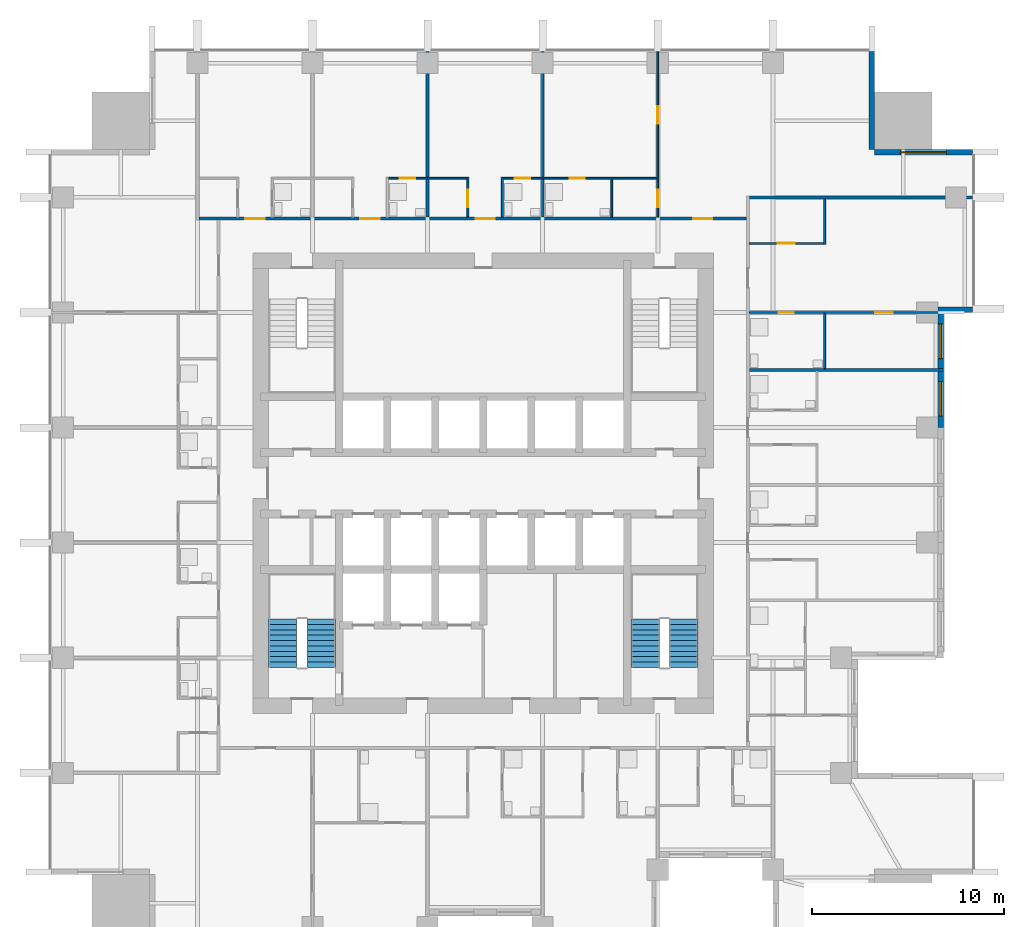
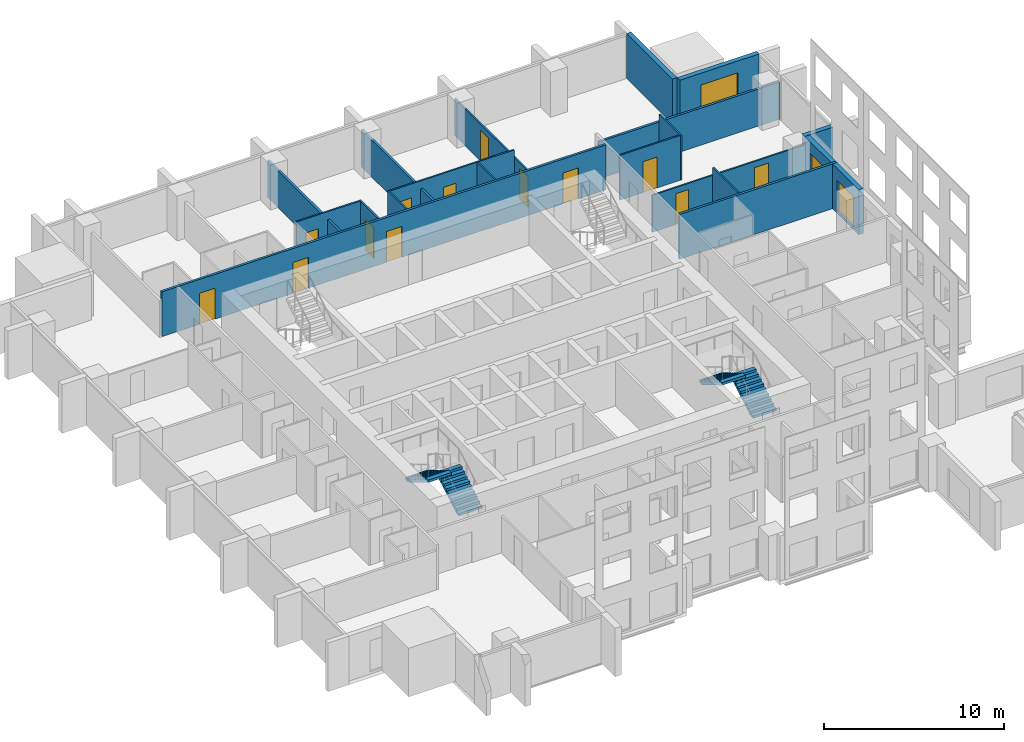
# One storey, part 8 of 12: 19 walls, 13 doors, 4 stair flights, 3 windows, 16 openings, 2 elements without a shape of their own.
"""IFC4 building model written with IfcOpenShell, lengths in metres."""

from ifc_helpers import new_model, si_unit, direction, frame, frame_2d, origin, place, context, subcontext, project, spatial, polyline, rectangle, outline, extrude, material, layer, layer_set, type_object, element, fill, aggregate, save


model = new_model("IFC4")

# Units and contexts
model_context = context("Model", 3, precision=1e-05, world=origin(), true_north=direction((0.0, 1.0)))
body_context = subcontext(model_context, "Body", "Model", "MODEL_VIEW")
ifc_project = project(units=[si_unit("LENGTHUNIT", "METRE"), si_unit("AREAUNIT", "SQUARE_METRE"), si_unit("VOLUMEUNIT", "CUBIC_METRE"), si_unit("PLANEANGLEUNIT", "RADIAN"), si_unit("MASSUNIT", "GRAM", prefix="KILO")], contexts=[model_context])

# Site, building, storey
site_placement = place(None, origin())
site = spatial("IfcSite", under=ifc_project, at=site_placement, CompositionType="ELEMENT")
building_placement = place(site_placement, origin())
building = spatial("IfcBuilding", under=site, at=building_placement, Name="Amberfall Residences", CompositionType="ELEMENT")
storey_placement = place(building_placement, frame((0.0, 0.0, 88.60009765625)))
storey = spatial("IfcBuildingStorey", under=building, at=storey_placement, Name="L23", CompositionType="ELEMENT", Elevation=88.60009765625)

# Wall
ifc_material_1 = material(Name="Pale stone cladding on insulated backing", Category="masonry")
ifc_layer_1 = layer(ifc_material_1, 0.300048828125)
ifc_layer_set_1 = layer_set([ifc_layer_1], Name="Bronze clad wall 300")
wall_type_1 = type_object("IfcWallType", Name="Bronze clad wall 300", PredefinedType="SOLIDWALL", material=ifc_layer_set_1)
wall_1_placement = place(storey_placement, frame((98.199951171875, 54.550048828125, 0.0), z_axis=(0.0, 0.0, 1.0), x_axis=(1.0, 0.0, 0.0)))
element("IfcWall", 1, at=wall_1_placement, inside=storey, type_object=wall_type_1, Name="External wall L23 E", PredefinedType="SOLIDWALL", context=body_context, shape_type="SweptSolid", body=[
    extrude(rectangle(XDim=1.800048828125, YDim=0.300048828125, at=frame_2d((0.89990234375, 0.0))), origin(), (0.0, 0.0, 1.0), 3.0498046875),
])

# Wall, opening, window
wall_2_placement = place(storey_placement, frame((100.0, 62.75, 0.0), z_axis=(0.0, 0.0, 1.0), x_axis=(-1.0, 0.0, 0.0)))
wall_2 = element("IfcWall", 2, at=wall_2_placement, inside=storey, type_object=wall_type_1, Name="External wall L23 NE", PredefinedType="SOLIDWALL", context=body_context, shape_type="SweptSolid", body=[
    extrude(rectangle(XDim=5.10009765625, YDim=0.300048828125, at=frame_2d((2.550048828125, 0.0))), origin(), (0.0, 0.0, 1.0), 3.0498046875),
])
opening_1_placement = place(wall_2_placement, frame((1.35009765625, 0.0, 0.14990234375)))
opening_1 = element("IfcOpeningElement", 3, at=opening_1_placement, cuts=wall_2, Name="Opening WN5", PredefinedType="OPENING", context=body_context, shape_type="SweptSolid", body=[
    extrude(rectangle(XDim=2.39990234375, YDim=2.10009765625, at=frame_2d((1.199951171875, 1.050048828125))), frame((0.0, 0.159912109375, 0.0), z_axis=(0.0, -1.0, 0.0), x_axis=(1.0, 0.0, 0.0)), (0.0, 0.0, 1.0), 0.320068359375),
])
ifc_material_2 = material(Name="Bronze aluminium framed glazing", Category="aluminium")
window_type_1 = type_object("IfcWindowType", Name="Glazed opening 2400 x 2100 bronze", PartitioningType="DOUBLE_PANEL_VERTICAL", PredefinedType="WINDOW", material=ifc_material_2)
window_1_placement = place(opening_1_placement, origin())
window_1 = element("IfcWindow", 4, at=window_1_placement, inside=storey, type_object=window_type_1, Name="Window L23 NE", OverallHeight=2.10009765625, OverallWidth=2.39990234375, PartitioningType="DOUBLE_PANEL_VERTICAL", PredefinedType="WINDOW", context=body_context, shape_type="SweptSolid", body=[
    extrude(rectangle(XDim=2.39990234375, YDim=2.10009765625, at=frame_2d((1.199951171875, 1.050048828125))), frame((0.0, 0.030029296875, 0.0), z_axis=(0.0, -1.0, 0.0), x_axis=(1.0, 0.0, 0.0)), (0.0, 0.0, 1.0), 0.06005859375),
])
fill(opening_1, window_1)

# Wall
wall_3_placement = place(storey_placement, frame((94.75, 62.89990234375, 0.0), z_axis=(0.0, 0.0, 1.0), x_axis=(0.0, 1.0, 0.0)))
element("IfcWall", 5, at=wall_3_placement, inside=storey, type_object=wall_type_1, Name="External wall L23 NE", PredefinedType="SOLIDWALL", context=body_context, shape_type="SweptSolid", body=[
    extrude(rectangle(XDim=5.10009765625, YDim=0.300048828125, at=frame_2d((2.550048828125, 0.0))), origin(), (0.0, 0.0, 1.0), 3.0498046875),
])

# Wall, openings, windows
wall_4_placement = place(storey_placement, frame((98.35009765625, 48.39990234375, 0.0), z_axis=(0.0, 0.0, 1.0), x_axis=(0.0, 1.0, 0.0)))
wall_4 = element("IfcWall", 6, at=wall_4_placement, inside=storey, type_object=wall_type_1, Name="Stone wall L23 E", PredefinedType="SOLIDWALL", context=body_context, shape_type="SweptSolid", body=[
    extrude(rectangle(XDim=6.0, YDim=0.300048828125, at=frame_2d((3.0, 0.0))), origin(), (0.0, 0.0, 1.0), 3.0498046875),
])
opening_2_placement = place(wall_4_placement, frame((0.60009765625, 0.0, 0.14990234375)))
opening_2 = element("IfcOpeningElement", 7, at=opening_2_placement, cuts=wall_4, Name="Opening WN6", PredefinedType="OPENING", context=body_context, shape_type="SweptSolid", body=[
    extrude(rectangle(XDim=1.800048828125, YDim=2.10009765625, at=frame_2d((0.89990234375, 1.050048828125))), frame((0.0, 0.159912109375, 0.0), z_axis=(0.0, -1.0, 0.0), x_axis=(1.0, 0.0, 0.0)), (0.0, 0.0, 1.0), 0.320068359375),
])
opening_3_placement = place(wall_4_placement, frame((3.60009765625, 0.0, 0.14990234375)))
opening_3 = element("IfcOpeningElement", 8, at=opening_3_placement, cuts=wall_4, Name="Opening WN6", PredefinedType="OPENING", context=body_context, shape_type="SweptSolid", body=[
    extrude(rectangle(XDim=1.800048828125, YDim=2.10009765625, at=frame_2d((0.89990234375, 1.050048828125))), frame((0.0, 0.159912109375, 0.0), z_axis=(0.0, -1.0, 0.0), x_axis=(1.0, 0.0, 0.0)), (0.0, 0.0, 1.0), 0.320068359375),
])
window_type_2 = type_object("IfcWindowType", Name="Glazed opening 1800 x 2100 bronze", PartitioningType="DOUBLE_PANEL_VERTICAL", PredefinedType="WINDOW", material=ifc_material_2)
window_2_placement = place(opening_2_placement, origin())
window_2 = element("IfcWindow", 9, at=window_2_placement, inside=storey, type_object=window_type_2, Name="Window L23 E", OverallHeight=2.10009765625, OverallWidth=1.800048828125, PartitioningType="DOUBLE_PANEL_VERTICAL", PredefinedType="WINDOW", context=body_context, shape_type="SweptSolid", body=[
    extrude(rectangle(XDim=1.800048828125, YDim=2.10009765625, at=frame_2d((0.89990234375, 1.050048828125))), frame((0.0, 0.030029296875, 0.0), z_axis=(0.0, -1.0, 0.0), x_axis=(1.0, 0.0, 0.0)), (0.0, 0.0, 1.0), 0.06005859375),
])
fill(opening_2, window_2)
window_3_placement = place(opening_3_placement, origin())
window_3 = element("IfcWindow", 10, at=window_3_placement, inside=storey, type_object=window_type_2, Name="Window L23 E", OverallHeight=2.10009765625, OverallWidth=1.800048828125, PartitioningType="DOUBLE_PANEL_VERTICAL", PredefinedType="WINDOW", context=body_context, shape_type="SweptSolid", body=[
    extrude(rectangle(XDim=1.800048828125, YDim=2.10009765625, at=frame_2d((0.89990234375, 1.050048828125))), frame((0.0, 0.030029296875, 0.0), z_axis=(0.0, -1.0, 0.0), x_axis=(1.0, 0.0, 0.0)), (0.0, 0.0, 1.0), 0.06005859375),
])
fill(opening_3, window_3)

# Wall, opening, door
ifc_material_3 = material(Name="Gypsum board on metal stud")
ifc_layer_2 = layer(ifc_material_3, 0.10009765625)
ifc_layer_set_2 = layer_set([ifc_layer_2], Name="Flat partition 100")
wall_type_2 = type_object("IfcWallType", Name="Flat partition 100", PredefinedType="PARTITIONING", material=ifc_layer_set_2)
wall_5_placement = place(storey_placement, frame((73.699951171875, 59.375, 0.0), z_axis=(0.0, 0.0, 1.0), x_axis=(0.0, 1.0, 0.0)))
wall_5 = element("IfcWall", 11, at=wall_5_placement, inside=storey, type_object=wall_type_2, Name="Partition 012", PredefinedType="PARTITIONING", context=body_context, shape_type="SweptSolid", body=[
    extrude(rectangle(XDim=2.074951171875, YDim=0.10009765625, at=frame_2d((1.03759765625, 0.0))), origin(), (0.0, 0.0, 1.0), 3.0498046875),
])
opening_4_placement = place(wall_5_placement, frame((0.52490234375, 0.0, 0.0)))
opening_4 = element("IfcOpeningElement", 12, at=opening_4_placement, cuts=wall_5, Name="Opening D41", PredefinedType="OPENING", context=body_context, shape_type="SweptSolid", body=[
    extrude(rectangle(XDim=0.89990234375, YDim=2.10009765625, at=frame_2d((0.449951171875, 1.050048828125))), frame((0.0, 0.06005859375, 0.0), z_axis=(0.0, -1.0, 0.0), x_axis=(1.0, 0.0, 0.0)), (0.0, 0.0, 1.0), 0.1201171875),
])
ifc_material_4 = material(Name="Timber", Category="wood")
door_type_1 = type_object("IfcDoorType", Name="Internal door 900 x 2100", OperationType="SINGLE_SWING_LEFT", PredefinedType="DOOR", material=ifc_material_4)
door_1_placement = place(opening_4_placement, origin())
door_1 = element("IfcDoor", 13, at=door_1_placement, inside=storey, type_object=door_type_1, Name="Door 2311 kitchen", OperationType="SINGLE_SWING_LEFT", OverallHeight=2.10009765625, OverallWidth=0.89990234375, PredefinedType="DOOR", context=body_context, shape_type="SweptSolid", body=[
    extrude(rectangle(XDim=0.89990234375, YDim=2.10009765625, at=frame_2d((0.449951171875, 1.050048828125))), frame((0.0, 0.02490234375, 0.0), z_axis=(0.0, -1.0, 0.0), x_axis=(1.0, 0.0, 0.0)), (0.0, 0.0, 1.0), 0.050048828125),
])
fill(opening_4, door_1)

# Walls
wall_6_placement = place(storey_placement, frame((75.5, 59.375, 0.0), z_axis=(0.0, 0.0, 1.0), x_axis=(0.0, 1.0, 0.0)))
element("IfcWall", 14, at=wall_6_placement, inside=storey, type_object=wall_type_2, Name="Partition 014", PredefinedType="PARTITIONING", context=body_context, shape_type="SweptSolid", body=[
    extrude(rectangle(XDim=2.074951171875, YDim=0.10009765625, at=frame_2d((1.03759765625, 0.0))), origin(), (0.0, 0.0, 1.0), 3.0498046875),
])
wall_7_placement = place(storey_placement, frame((81.199951171875, 59.375, 0.0), z_axis=(0.0, 0.0, 1.0), x_axis=(0.0, 1.0, 0.0)))
element("IfcWall", 15, at=wall_7_placement, inside=storey, type_object=wall_type_2, Name="Partition 016", PredefinedType="PARTITIONING", context=body_context, shape_type="SweptSolid", body=[
    extrude(rectangle(XDim=1.97509765625, YDim=0.10009765625, at=frame_2d((0.987548828125, 0.0))), origin(), (0.0, 0.0, 1.0), 3.0498046875),
])

# Wall, openings, doors
wall_8_placement = place(storey_placement, frame((83.60009765625, 59.375, 0.0), z_axis=(0.0, 0.0, 1.0), x_axis=(0.0, 1.0, 0.0)))
wall_8 = element("IfcWall", 16, at=wall_8_placement, inside=storey, type_object=wall_type_2, Name="Partition 018", PredefinedType="PARTITIONING", context=body_context, shape_type="SweptSolid", body=[
    extrude(rectangle(XDim=8.625, YDim=0.10009765625, at=frame_2d((4.3125, 0.0))), origin(), (0.0, 0.0, 1.0), 2.515869140625),
])
opening_5_placement = place(wall_8_placement, frame((0.52490234375, 0.0, 0.0)))
opening_5 = element("IfcOpeningElement", 17, at=opening_5_placement, cuts=wall_8, Name="Opening D41", PredefinedType="OPENING", context=body_context, shape_type="SweptSolid", body=[
    extrude(rectangle(XDim=0.89990234375, YDim=2.10009765625, at=frame_2d((0.449951171875, 1.050048828125))), frame((0.0, 0.06005859375, 0.0), z_axis=(0.0, -1.0, 0.0), x_axis=(1.0, 0.0, 0.0)), (0.0, 0.0, 1.0), 0.1201171875),
])
opening_6_placement = place(wall_8_placement, frame((4.875, 0.0, 0.0)))
opening_6 = element("IfcOpeningElement", 18, at=opening_6_placement, cuts=wall_8, Name="Opening D41", PredefinedType="OPENING", context=body_context, shape_type="SweptSolid", body=[
    extrude(rectangle(XDim=0.89990234375, YDim=2.10009765625, at=frame_2d((0.449951171875, 1.050048828125))), frame((0.0, 0.06005859375, 0.0), z_axis=(0.0, -1.0, 0.0), x_axis=(1.0, 0.0, 0.0)), (0.0, 0.0, 1.0), 0.1201171875),
])
door_2_placement = place(opening_5_placement, origin())
door_2 = element("IfcDoor", 19, at=door_2_placement, inside=storey, type_object=door_type_1, Name="Door 2312 kitchen", OperationType="SINGLE_SWING_LEFT", OverallHeight=2.10009765625, OverallWidth=0.89990234375, PredefinedType="DOOR", context=body_context, shape_type="SweptSolid", body=[
    extrude(rectangle(XDim=0.89990234375, YDim=2.10009765625, at=frame_2d((0.449951171875, 1.050048828125))), frame((0.0, 0.02490234375, 0.0), z_axis=(0.0, -1.0, 0.0), x_axis=(1.0, 0.0, 0.0)), (0.0, 0.0, 1.0), 0.050048828125),
])
fill(opening_5, door_2)
door_3_placement = place(opening_6_placement, origin())
door_3 = element("IfcDoor", 20, at=door_3_placement, inside=storey, type_object=door_type_1, Name="Door 2312 bedroom1", OperationType="SINGLE_SWING_LEFT", OverallHeight=2.10009765625, OverallWidth=0.89990234375, PredefinedType="DOOR", context=body_context, shape_type="SweptSolid", body=[
    extrude(rectangle(XDim=0.89990234375, YDim=2.10009765625, at=frame_2d((0.449951171875, 1.050048828125))), frame((0.0, 0.02490234375, 0.0), z_axis=(0.0, -1.0, 0.0), x_axis=(1.0, 0.0, 0.0)), (0.0, 0.0, 1.0), 0.050048828125),
])
fill(opening_6, door_3)

# Walls
wall_9_placement = place(storey_placement, frame((92.300048828125, 51.47509765625, 0.0), z_axis=(0.0, 0.0, 1.0), x_axis=(0.0, 1.0, 0.0)))
element("IfcWall", 21, at=wall_9_placement, inside=storey, type_object=wall_type_2, Name="Partition 025", PredefinedType="PARTITIONING", context=body_context, shape_type="SweptSolid", body=[
    extrude(rectangle(XDim=2.875, YDim=0.10009765625, at=frame_2d((1.4375, 0.0))), origin(), (0.0, 0.0, 1.0), 3.0498046875),
])
wall_10_placement = place(storey_placement, frame((92.300048828125, 57.949951171875, 0.0), z_axis=(0.0, 0.0, 1.0), x_axis=(0.0, 1.0, 0.0)))
element("IfcWall", 22, at=wall_10_placement, inside=storey, type_object=wall_type_2, Name="Partition 026", PredefinedType="PARTITIONING", context=body_context, shape_type="SweptSolid", body=[
    extrude(rectangle(XDim=2.375, YDim=0.10009765625, at=frame_2d((1.1875, 0.0))), origin(), (0.0, 0.0, 1.0), 3.0498046875),
])

# Wall, opening, door
wall_11_placement = place(storey_placement, frame((73.64990234375, 61.39990234375, 0.0), z_axis=(0.0, 0.0, 1.0), x_axis=(-1.0, 0.0, 0.0)))
wall_11 = element("IfcWall", 23, at=wall_11_placement, inside=storey, type_object=wall_type_2, Name="Partition 029", PredefinedType="PARTITIONING", context=body_context, shape_type="SweptSolid", body=[
    extrude(rectangle(XDim=4.099853515625, YDim=0.10009765625, at=frame_2d((2.0498046875, 0.0))), origin(), (0.0, 0.0, 1.0), 3.0498046875),
])
opening_7_placement = place(wall_11_placement, frame((2.699951171875, 0.0, 0.0)))
opening_7 = element("IfcOpeningElement", 24, at=opening_7_placement, cuts=wall_11, Name="Opening D42", PredefinedType="OPENING", context=body_context, shape_type="SweptSolid", body=[
    extrude(rectangle(XDim=0.800048828125, YDim=2.10009765625, at=frame_2d((0.39990234375, 1.050048828125))), frame((0.0, 0.06005859375, 0.0), z_axis=(0.0, -1.0, 0.0), x_axis=(1.0, 0.0, 0.0)), (0.0, 0.0, 1.0), 0.1201171875),
])
door_type_2 = type_object("IfcDoorType", Name="Bathroom door 800 x 2100", OperationType="SINGLE_SWING_LEFT", PredefinedType="DOOR", material=ifc_material_4)
door_4_placement = place(opening_7_placement, origin())
door_4 = element("IfcDoor", 25, at=door_4_placement, inside=storey, type_object=door_type_2, Name="Door 2310 bath1", OperationType="SINGLE_SWING_LEFT", OverallHeight=2.10009765625, OverallWidth=0.800048828125, PredefinedType="DOOR", context=body_context, shape_type="SweptSolid", body=[
    extrude(rectangle(XDim=0.800048828125, YDim=2.10009765625, at=frame_2d((0.39990234375, 1.050048828125))), frame((0.0, 0.02490234375, 0.0), z_axis=(0.0, -1.0, 0.0), x_axis=(1.0, 0.0, 0.0)), (0.0, 0.0, 1.0), 0.050048828125),
])
fill(opening_7, door_4)

# Wall, openings, doors
wall_12_placement = place(storey_placement, frame((83.550048828125, 61.39990234375, 0.0), z_axis=(0.0, 0.0, 1.0), x_axis=(-1.0, 0.0, 0.0)))
wall_12 = element("IfcWall", 26, at=wall_12_placement, inside=storey, type_object=wall_type_2, Name="Partition 030", PredefinedType="PARTITIONING", context=body_context, shape_type="SweptSolid", body=[
    extrude(rectangle(XDim=8.0, YDim=0.10009765625, at=frame_2d((4.0, 0.0))), origin(), (0.0, 0.0, 1.0), 3.0498046875),
])
opening_8_placement = place(wall_12_placement, frame((6.60009765625, 0.0, 0.0)))
opening_8 = element("IfcOpeningElement", 27, at=opening_8_placement, cuts=wall_12, Name="Opening D42", PredefinedType="OPENING", context=body_context, shape_type="SweptSolid", body=[
    extrude(rectangle(XDim=0.800048828125, YDim=2.10009765625, at=frame_2d((0.39990234375, 1.050048828125))), frame((0.0, 0.06005859375, 0.0), z_axis=(0.0, -1.0, 0.0), x_axis=(1.0, 0.0, 0.0)), (0.0, 0.0, 1.0), 0.1201171875),
])
opening_9_placement = place(wall_12_placement, frame((3.75, 0.0, 0.0)))
opening_9 = element("IfcOpeningElement", 28, at=opening_9_placement, cuts=wall_12, Name="Opening D42", PredefinedType="OPENING", context=body_context, shape_type="SweptSolid", body=[
    extrude(rectangle(XDim=0.800048828125, YDim=2.10009765625, at=frame_2d((0.39990234375, 1.050048828125))), frame((0.0, 0.06005859375, 0.0), z_axis=(0.0, -1.0, 0.0), x_axis=(1.0, 0.0, 0.0)), (0.0, 0.0, 1.0), 0.1201171875),
])
door_5_placement = place(opening_8_placement, origin())
door_5 = element("IfcDoor", 29, at=door_5_placement, inside=storey, type_object=door_type_2, Name="Door 2311 bath1", OperationType="SINGLE_SWING_LEFT", OverallHeight=2.10009765625, OverallWidth=0.800048828125, PredefinedType="DOOR", context=body_context, shape_type="SweptSolid", body=[
    extrude(rectangle(XDim=0.800048828125, YDim=2.10009765625, at=frame_2d((0.39990234375, 1.050048828125))), frame((0.0, 0.02490234375, 0.0), z_axis=(0.0, -1.0, 0.0), x_axis=(1.0, 0.0, 0.0)), (0.0, 0.0, 1.0), 0.050048828125),
])
fill(opening_8, door_5)
door_6_placement = place(opening_9_placement, origin())
door_6 = element("IfcDoor", 30, at=door_6_placement, inside=storey, type_object=door_type_2, Name="Door 2312 bath1", OperationType="SINGLE_SWING_LEFT", OverallHeight=2.10009765625, OverallWidth=0.800048828125, PredefinedType="DOOR", context=body_context, shape_type="SweptSolid", body=[
    extrude(rectangle(XDim=0.800048828125, YDim=2.10009765625, at=frame_2d((0.39990234375, 1.050048828125))), frame((0.0, 0.02490234375, 0.0), z_axis=(0.0, -1.0, 0.0), x_axis=(1.0, 0.0, 0.0)), (0.0, 0.0, 1.0), 0.050048828125),
])
fill(opening_9, door_6)

# Wall, opening, door
wall_13_placement = place(storey_placement, frame((88.375, 58.0, 0.0), z_axis=(0.0, 0.0, 1.0), x_axis=(1.0, 0.0, 0.0)))
wall_13 = element("IfcWall", 31, at=wall_13_placement, inside=storey, type_object=wall_type_2, Name="Partition 031", PredefinedType="PARTITIONING", context=body_context, shape_type="SweptSolid", body=[
    extrude(rectangle(XDim=3.875, YDim=0.10009765625, at=frame_2d((1.9375, 0.0))), origin(), (0.0, 0.0, 1.0), 3.0498046875),
])
opening_10_placement = place(wall_13_placement, frame((1.47509765625, 0.0, 0.0)))
opening_10 = element("IfcOpeningElement", 32, at=opening_10_placement, cuts=wall_13, Name="Opening D41", PredefinedType="OPENING", context=body_context, shape_type="SweptSolid", body=[
    extrude(rectangle(XDim=0.89990234375, YDim=2.10009765625, at=frame_2d((0.449951171875, 1.050048828125))), frame((0.0, 0.06005859375, 0.0), z_axis=(0.0, -1.0, 0.0), x_axis=(1.0, 0.0, 0.0)), (0.0, 0.0, 1.0), 0.1201171875),
])
door_7_placement = place(opening_10_placement, origin())
door_7 = element("IfcDoor", 33, at=door_7_placement, inside=storey, type_object=door_type_1, Name="Door 2308 kitchen", OperationType="SINGLE_SWING_LEFT", OverallHeight=2.10009765625, OverallWidth=0.89990234375, PredefinedType="DOOR", context=body_context, shape_type="SweptSolid", body=[
    extrude(rectangle(XDim=0.89990234375, YDim=2.10009765625, at=frame_2d((0.449951171875, 1.050048828125))), frame((0.0, 0.02490234375, 0.0), z_axis=(0.0, -1.0, 0.0), x_axis=(1.0, 0.0, 0.0)), (0.0, 0.0, 1.0), 0.050048828125),
])
fill(opening_10, door_7)

# Wall, openings, doors
wall_14_placement = place(storey_placement, frame((98.5, 54.39990234375, 0.0), z_axis=(0.0, 0.0, 1.0), x_axis=(-1.0, 0.0, 0.0)))
wall_14 = element("IfcWall", 34, at=wall_14_placement, inside=storey, type_object=wall_type_2, Name="Partition 033", PredefinedType="PARTITIONING", context=body_context, shape_type="SweptSolid", body=[
    extrude(rectangle(XDim=10.125, YDim=0.10009765625, at=frame_2d((5.0625, 0.0))), origin(), (0.0, 0.0, 1.0), 2.515869140625),
])
opening_11_placement = place(wall_14_placement, frame((2.64990234375, 0.0, 0.0)))
opening_11 = element("IfcOpeningElement", 35, at=opening_11_placement, cuts=wall_14, Name="Opening D41", PredefinedType="OPENING", context=body_context, shape_type="SweptSolid", body=[
    extrude(rectangle(XDim=0.89990234375, YDim=2.10009765625, at=frame_2d((0.449951171875, 1.050048828125))), frame((0.0, 0.06005859375, 0.0), z_axis=(0.0, -1.0, 0.0), x_axis=(1.0, 0.0, 0.0)), (0.0, 0.0, 1.0), 0.1201171875),
])
opening_12_placement = place(wall_14_placement, frame((7.800048828125, 0.0, 0.0)))
opening_12 = element("IfcOpeningElement", 36, at=opening_12_placement, cuts=wall_14, Name="Opening D42", PredefinedType="OPENING", context=body_context, shape_type="SweptSolid", body=[
    extrude(rectangle(XDim=0.800048828125, YDim=2.10009765625, at=frame_2d((0.39990234375, 1.050048828125))), frame((0.0, 0.06005859375, 0.0), z_axis=(0.0, -1.0, 0.0), x_axis=(1.0, 0.0, 0.0)), (0.0, 0.0, 1.0), 0.1201171875),
])
door_8_placement = place(opening_12_placement, origin())
door_8 = element("IfcDoor", 37, at=door_8_placement, inside=storey, type_object=door_type_2, Name="Door 2308 bath1", OperationType="SINGLE_SWING_LEFT", OverallHeight=2.10009765625, OverallWidth=0.800048828125, PredefinedType="DOOR", context=body_context, shape_type="SweptSolid", body=[
    extrude(rectangle(XDim=0.800048828125, YDim=2.10009765625, at=frame_2d((0.39990234375, 1.050048828125))), frame((0.0, 0.02490234375, 0.0), z_axis=(0.0, -1.0, 0.0), x_axis=(1.0, 0.0, 0.0)), (0.0, 0.0, 1.0), 0.050048828125),
])
fill(opening_12, door_8)
door_9_placement = place(opening_11_placement, origin())
door_9 = element("IfcDoor", 38, at=door_9_placement, inside=storey, type_object=door_type_1, Name="Door 2308 bedroom1", OperationType="SINGLE_SWING_LEFT", OverallHeight=2.10009765625, OverallWidth=0.89990234375, PredefinedType="DOOR", context=body_context, shape_type="SweptSolid", body=[
    extrude(rectangle(XDim=0.89990234375, YDim=2.10009765625, at=frame_2d((0.449951171875, 1.050048828125))), frame((0.0, 0.02490234375, 0.0), z_axis=(0.0, -1.0, 0.0), x_axis=(1.0, 0.0, 0.0)), (0.0, 0.0, 1.0), 0.050048828125),
])
fill(opening_11, door_9)

# Walls
ifc_material_5 = material(Name="Blockwork, plastered", Category="masonry")
ifc_layer_3 = layer(ifc_material_5, 0.14990234375)
ifc_layer_set_3 = layer_set([ifc_layer_3], Name="Flat separating wall 150")
wall_type_3 = type_object("IfcWallType", Name="Flat separating wall 150", PredefinedType="PARTITIONING", material=ifc_layer_set_3)
for number, where, z_axis, x_axis, name in (
    (39, (71.60009765625, 59.375, 0.0), (0.0, 0.0, 1.0), (0.0, 1.0, 0.0), "Separating wall 057"),
    (40, (77.60009765625, 59.375, 0.0), (0.0, 0.0, 1.0), (0.0, 1.0, 0.0), "Separating wall 059"),
):
    element("IfcWall", number, at=place(storey_placement, frame(where, z_axis=z_axis, x_axis=x_axis)), inside=storey, type_object=wall_type_3, Name=name, PredefinedType="PARTITIONING", context=body_context, shape_type="SweptSolid", body=[
        extrude(rectangle(XDim=8.625, YDim=0.14990234375, at=frame_2d((4.3125, 0.0))), origin(), (0.0, 0.0, 1.0), 2.515869140625),
    ])
wall_15_placement = place(storey_placement, frame((88.375, 60.39990234375, 0.0), z_axis=(0.0, 0.0, 1.0), x_axis=(1.0, 0.0, 0.0)))
element("IfcWall", 41, at=wall_15_placement, inside=storey, type_object=wall_type_3, Name="Separating wall 063", PredefinedType="PARTITIONING", context=body_context, shape_type="SweptSolid", body=[
    extrude(rectangle(XDim=11.625, YDim=0.14990234375, at=frame_2d((5.8125, 0.0))), origin(), (0.0, 0.0, 1.0), 2.515869140625),
])

# Wall, openings, doors
wall_16_placement = place(storey_placement, frame((59.675048828125, 59.300048828125, 0.0), z_axis=(0.0, 0.0, 1.0), x_axis=(1.0, 0.0, 0.0)))
wall_16 = element("IfcWall", 42, at=wall_16_placement, inside=storey, type_object=wall_type_3, Name="Separating wall 064", PredefinedType="PARTITIONING", context=body_context, shape_type="SweptSolid", body=[
    extrude(rectangle(XDim=28.550048828125, YDim=0.14990234375, at=frame_2d((14.27490234375, 0.0))), origin(), (0.0, 0.0, 1.0), 3.0498046875),
])
opening_13_placement = place(wall_16_placement, frame((2.425048828125, 0.0, 0.0)))
opening_13 = element("IfcOpeningElement", 43, at=opening_13_placement, cuts=wall_16, Name="Opening D40", PredefinedType="OPENING", context=body_context, shape_type="SweptSolid", body=[
    extrude(rectangle(XDim=1.0, YDim=2.10009765625, at=frame_2d((0.5, 1.050048828125))), frame((0.0, 0.0849609375, 0.0), z_axis=(0.0, -1.0, 0.0), x_axis=(1.0, 0.0, 0.0)), (0.0, 0.0, 1.0), 0.169921875),
])
opening_14_placement = place(wall_16_placement, frame((8.425048828125, 0.0, 0.0)))
opening_14 = element("IfcOpeningElement", 44, at=opening_14_placement, cuts=wall_16, Name="Opening D40", PredefinedType="OPENING", context=body_context, shape_type="SweptSolid", body=[
    extrude(rectangle(XDim=1.0, YDim=2.10009765625, at=frame_2d((0.5, 1.050048828125))), frame((0.0, 0.0849609375, 0.0), z_axis=(0.0, -1.0, 0.0), x_axis=(1.0, 0.0, 0.0)), (0.0, 0.0, 1.0), 0.169921875),
])
opening_15_placement = place(wall_16_placement, frame((14.425048828125, 0.0, 0.0)))
opening_15 = element("IfcOpeningElement", 45, at=opening_15_placement, cuts=wall_16, Name="Opening D40", PredefinedType="OPENING", context=body_context, shape_type="SweptSolid", body=[
    extrude(rectangle(XDim=1.0, YDim=2.10009765625, at=frame_2d((0.5, 1.050048828125))), frame((0.0, 0.0849609375, 0.0), z_axis=(0.0, -1.0, 0.0), x_axis=(1.0, 0.0, 0.0)), (0.0, 0.0, 1.0), 0.169921875),
])
opening_16_placement = place(wall_16_placement, frame((25.77490234375, 0.0, 0.0)))
opening_16 = element("IfcOpeningElement", 46, at=opening_16_placement, cuts=wall_16, Name="Opening D40", PredefinedType="OPENING", context=body_context, shape_type="SweptSolid", body=[
    extrude(rectangle(XDim=1.0, YDim=2.10009765625, at=frame_2d((0.5, 1.050048828125))), frame((0.0, 0.0849609375, 0.0), z_axis=(0.0, -1.0, 0.0), x_axis=(1.0, 0.0, 0.0)), (0.0, 0.0, 1.0), 0.169921875),
])
ifc_material_6 = material(Name="Timber, fire-rated", Category="wood")
door_type_3 = type_object("IfcDoorType", Name="Flat entrance door FD60 1000 x 2100", OperationType="SINGLE_SWING_LEFT", PredefinedType="DOOR", material=ifc_material_6)
door_10_placement = place(opening_13_placement, origin())
door_10 = element("IfcDoor", 47, at=door_10_placement, inside=storey, type_object=door_type_3, Name="Door 2309 entrance", OperationType="SINGLE_SWING_LEFT", OverallHeight=2.10009765625, OverallWidth=1.0, PredefinedType="DOOR", context=body_context, shape_type="SweptSolid", body=[
    extrude(rectangle(XDim=1.0, YDim=2.10009765625, at=frame_2d((0.5, 1.050048828125))), frame((0.0, 0.02490234375, 0.0), z_axis=(0.0, -1.0, 0.0), x_axis=(1.0, 0.0, 0.0)), (0.0, 0.0, 1.0), 0.050048828125),
])
fill(opening_13, door_10)
door_11_placement = place(opening_14_placement, origin())
door_11 = element("IfcDoor", 48, at=door_11_placement, inside=storey, type_object=door_type_3, Name="Door 2310 entrance", OperationType="SINGLE_SWING_LEFT", OverallHeight=2.10009765625, OverallWidth=1.0, PredefinedType="DOOR", context=body_context, shape_type="SweptSolid", body=[
    extrude(rectangle(XDim=1.0, YDim=2.10009765625, at=frame_2d((0.5, 1.050048828125))), frame((0.0, 0.02490234375, 0.0), z_axis=(0.0, -1.0, 0.0), x_axis=(1.0, 0.0, 0.0)), (0.0, 0.0, 1.0), 0.050048828125),
])
fill(opening_14, door_11)
door_12_placement = place(opening_15_placement, origin())
door_12 = element("IfcDoor", 49, at=door_12_placement, inside=storey, type_object=door_type_3, Name="Door 2311 entrance", OperationType="SINGLE_SWING_LEFT", OverallHeight=2.10009765625, OverallWidth=1.0, PredefinedType="DOOR", context=body_context, shape_type="SweptSolid", body=[
    extrude(rectangle(XDim=1.0, YDim=2.10009765625, at=frame_2d((0.5, 1.050048828125))), frame((0.0, 0.02490234375, 0.0), z_axis=(0.0, -1.0, 0.0), x_axis=(1.0, 0.0, 0.0)), (0.0, 0.0, 1.0), 0.050048828125),
])
fill(opening_15, door_12)
door_13_placement = place(opening_16_placement, origin())
door_13 = element("IfcDoor", 50, at=door_13_placement, inside=storey, type_object=door_type_3, Name="Door 2312 entrance", OperationType="SINGLE_SWING_LEFT", OverallHeight=2.10009765625, OverallWidth=1.0, PredefinedType="DOOR", context=body_context, shape_type="SweptSolid", body=[
    extrude(rectangle(XDim=1.0, YDim=2.10009765625, at=frame_2d((0.5, 1.050048828125))), frame((0.0, 0.02490234375, 0.0), z_axis=(0.0, -1.0, 0.0), x_axis=(1.0, 0.0, 0.0)), (0.0, 0.0, 1.0), 0.050048828125),
])
fill(opening_16, door_13)

# Wall
wall_17_placement = place(storey_placement, frame((88.375, 51.39990234375, 0.0), z_axis=(0.0, 0.0, 1.0), x_axis=(1.0, 0.0, 0.0)))
element("IfcWall", 51, at=wall_17_placement, inside=storey, type_object=wall_type_3, Name="Separating wall 065", PredefinedType="PARTITIONING", context=body_context, shape_type="SweptSolid", body=[
    extrude(rectangle(XDim=10.125, YDim=0.14990234375, at=frame_2d((5.0625, 0.0))), origin(), (0.0, 0.0, 1.0), 3.0498046875),
])

# Stair, stair flights
ifc_material_7 = material(Name="Concrete C40", Category="concrete")
stair_type = type_object("IfcStairType", Name="Exit stair 20 risers 165.0 mm", PredefinedType="HALF_TURN_STAIR", material=ifc_material_7)
stair_1_placement = place(storey_placement, origin())
stair_1 = element("IfcStair", 52, at=stair_1_placement, inside=storey, type_object=stair_type, Name="L23 Exit stair 1", PredefinedType="HALF_TURN_STAIR")
stair_flight_type = type_object("IfcStairFlightType", Name="Stair flight 10 risers 165.0 mm", PredefinedType="STRAIGHT", material=ifc_material_7)
stair_flight_1_placement = place(storey_placement, frame((66.050048828125, 35.89990234375, 0.0), z_axis=(0.0, 0.0, 1.0), x_axis=(0.0, 1.0, 0.0)))
stair_flight_1 = element("IfcStairFlight", 53, at=stair_flight_1_placement, type_object=stair_flight_type, Name="ST3 flight 1", NumberOfRisers=10, NumberOfTreads=9, PredefinedType="STRAIGHT", RiserHeight=0.165, TreadLength=0.28, context=body_context, shape_type="SweptSolid", body=[
    extrude(outline(polyline([(0.0, 0.0), (0.0, 0.1650390625), (0.280029296875, 0.1650390625), (0.280029296875, 0.330078125), (0.56005859375, 0.330078125), (0.56005859375, 0.4951171875), (0.840087890625, 0.4951171875), (0.840087890625, 0.659912109375), (1.1201171875, 0.659912109375), (1.1201171875, 0.824951171875), (1.39990234375, 0.824951171875), (1.39990234375, 0.989990234375), (1.679931640625, 0.989990234375), (1.679931640625, 1.155029296875), (1.9599609375, 1.155029296875), (1.9599609375, 1.320068359375), (2.239990234375, 1.320068359375), (2.239990234375, 1.485107421875), (2.52001953125, 1.485107421875), (2.52001953125, 1.64990234375), (2.52001953125, 1.31103515625), (0.295166015625, 0.0), (0.0, 0.0)])), frame((0.0, 0.75, 0.0), z_axis=(0.0, -1.0, 0.0), x_axis=(1.0, 0.0, 0.0)), (0.0, 0.0, 1.0), 1.5),
])
stair_flight_2_placement = place(storey_placement, frame((64.050048828125, 38.419921875, 1.64990234375), z_axis=(0.0, 0.0, 1.0), x_axis=(0.0, -1.0, 0.0)))
stair_flight_2 = element("IfcStairFlight", 54, at=stair_flight_2_placement, type_object=stair_flight_type, Name="ST3 flight 2", NumberOfRisers=10, NumberOfTreads=9, PredefinedType="STRAIGHT", RiserHeight=0.165, TreadLength=0.28, context=body_context, shape_type="SweptSolid", body=[
    extrude(outline(polyline([(0.0, 0.0), (0.0, 0.1650390625), (0.280029296875, 0.1650390625), (0.280029296875, 0.330078125), (0.56005859375, 0.330078125), (0.56005859375, 0.4951171875), (0.840087890625, 0.4951171875), (0.840087890625, 0.659912109375), (1.1201171875, 0.659912109375), (1.1201171875, 0.824951171875), (1.39990234375, 0.824951171875), (1.39990234375, 0.989990234375), (1.679931640625, 0.989990234375), (1.679931640625, 1.155029296875), (1.9599609375, 1.155029296875), (1.9599609375, 1.320068359375), (2.239990234375, 1.320068359375), (2.239990234375, 1.485107421875), (2.52001953125, 1.485107421875), (2.52001953125, 1.64990234375), (2.52001953125, 1.31103515625), (0.295166015625, 0.0), (0.0, 0.0)])), frame((0.0, 0.75, 0.0), z_axis=(0.0, -1.0, 0.0), x_axis=(1.0, 0.0, 0.0)), (0.0, 0.0, 1.0), 1.5),
])
aggregate(stair_1, [stair_flight_1, stair_flight_2])

stair_2_placement = place(storey_placement, origin())
stair_2 = element("IfcStair", 55, at=stair_2_placement, inside=storey, type_object=stair_type, Name="L23 Exit stair 2", PredefinedType="HALF_TURN_STAIR")
stair_flight_3_placement = place(storey_placement, frame((84.949951171875, 35.89990234375, 0.0), z_axis=(0.0, 0.0, 1.0), x_axis=(0.0, 1.0, 0.0)))
stair_flight_3 = element("IfcStairFlight", 56, at=stair_flight_3_placement, type_object=stair_flight_type, Name="ST3 flight 1", NumberOfRisers=10, NumberOfTreads=9, PredefinedType="STRAIGHT", RiserHeight=0.165, TreadLength=0.28, context=body_context, shape_type="SweptSolid", body=[
    extrude(outline(polyline([(0.0, 0.0), (0.0, 0.1650390625), (0.280029296875, 0.1650390625), (0.280029296875, 0.330078125), (0.56005859375, 0.330078125), (0.56005859375, 0.4951171875), (0.840087890625, 0.4951171875), (0.840087890625, 0.659912109375), (1.1201171875, 0.659912109375), (1.1201171875, 0.824951171875), (1.39990234375, 0.824951171875), (1.39990234375, 0.989990234375), (1.679931640625, 0.989990234375), (1.679931640625, 1.155029296875), (1.9599609375, 1.155029296875), (1.9599609375, 1.320068359375), (2.239990234375, 1.320068359375), (2.239990234375, 1.485107421875), (2.52001953125, 1.485107421875), (2.52001953125, 1.64990234375), (2.52001953125, 1.31103515625), (0.295166015625, 0.0), (0.0, 0.0)])), frame((0.0, 0.75, 0.0), z_axis=(0.0, -1.0, 0.0), x_axis=(1.0, 0.0, 0.0)), (0.0, 0.0, 1.0), 1.5),
])
stair_flight_4_placement = place(storey_placement, frame((82.949951171875, 38.419921875, 1.64990234375), z_axis=(0.0, 0.0, 1.0), x_axis=(0.0, -1.0, 0.0)))
stair_flight_4 = element("IfcStairFlight", 57, at=stair_flight_4_placement, type_object=stair_flight_type, Name="ST3 flight 2", NumberOfRisers=10, NumberOfTreads=9, PredefinedType="STRAIGHT", RiserHeight=0.165, TreadLength=0.28, context=body_context, shape_type="SweptSolid", body=[
    extrude(outline(polyline([(0.0, 0.0), (0.0, 0.1650390625), (0.280029296875, 0.1650390625), (0.280029296875, 0.330078125), (0.56005859375, 0.330078125), (0.56005859375, 0.4951171875), (0.840087890625, 0.4951171875), (0.840087890625, 0.659912109375), (1.1201171875, 0.659912109375), (1.1201171875, 0.824951171875), (1.39990234375, 0.824951171875), (1.39990234375, 0.989990234375), (1.679931640625, 0.989990234375), (1.679931640625, 1.155029296875), (1.9599609375, 1.155029296875), (1.9599609375, 1.320068359375), (2.239990234375, 1.320068359375), (2.239990234375, 1.485107421875), (2.52001953125, 1.485107421875), (2.52001953125, 1.64990234375), (2.52001953125, 1.31103515625), (0.295166015625, 0.0), (0.0, 0.0)])), frame((0.0, 0.75, 0.0), z_axis=(0.0, -1.0, 0.0), x_axis=(1.0, 0.0, 0.0)), (0.0, 0.0, 1.0), 1.5),
])
aggregate(stair_2, [stair_flight_3, stair_flight_4])

save(model, "model.ifc")
